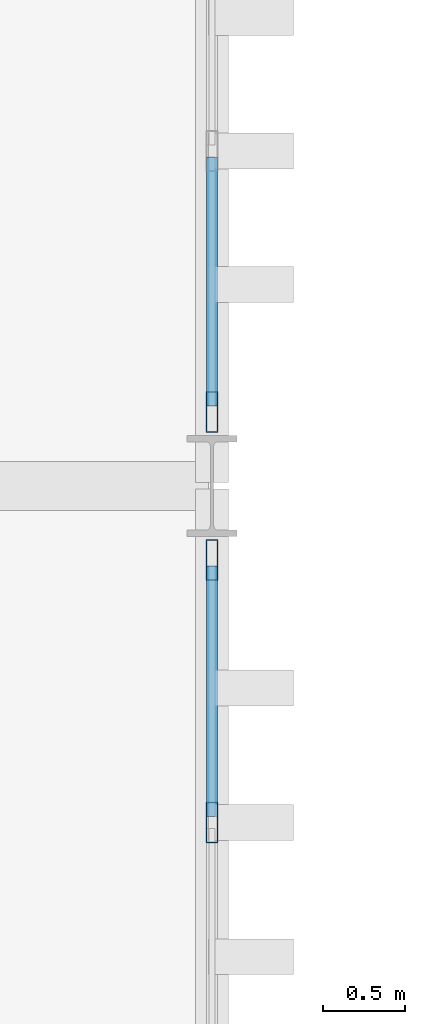
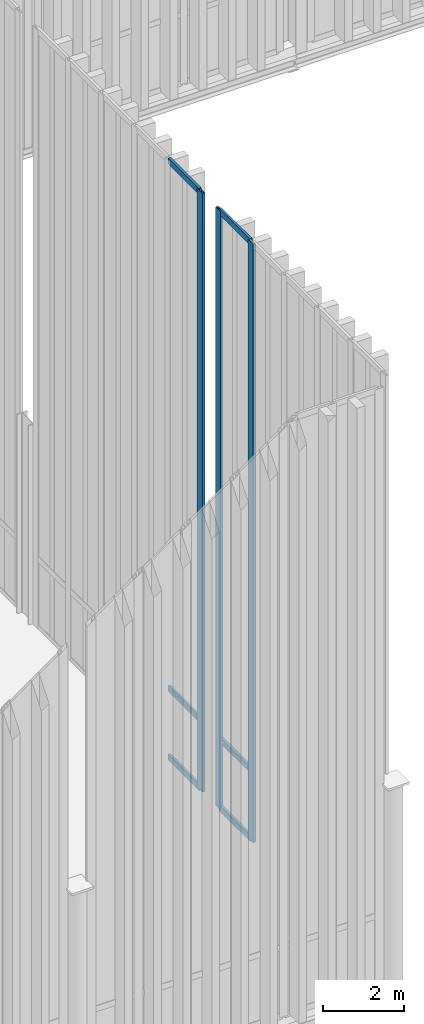
# One storey, part 51 of 237: 9 members, 2 elements without a shape of their own.
"""IFC4 building model written with IfcOpenShell, lengths in metres."""

from ifc_helpers import new_model, si_unit, direction, frame, origin, origin_2d, place, context, subcontext, project, spatial, hollow_rectangle, extrude, material, layer, layer_set, material_profile, profile_set, type_object, element, aggregate, save


model = new_model("IFC4")

# Units and contexts
model_context = context("Model", 3, precision=1e-05, world=origin(), true_north=direction((0.0, 1.0)))
body_context = subcontext(model_context, "Body", "Model", "MODEL_VIEW")
ifc_project = project(units=[si_unit("LENGTHUNIT", "METRE"), si_unit("AREAUNIT", "SQUARE_METRE"), si_unit("VOLUMEUNIT", "CUBIC_METRE"), si_unit("PLANEANGLEUNIT", "RADIAN"), si_unit("MASSUNIT", "GRAM", prefix="KILO")], contexts=[model_context])

# Site, building, storey
site_placement = place(None, origin())
site = spatial("IfcSite", under=ifc_project, at=site_placement, CompositionType="ELEMENT")
building_placement = place(site_placement, origin())
building = spatial("IfcBuilding", under=site, at=building_placement, Name="Barlavento Convention Centre", CompositionType="ELEMENT")
storey_placement = place(building_placement, frame((0.0, 0.0, 12.0)))
storey = spatial("IfcBuildingStorey", under=building, at=storey_placement, Name="L02", CompositionType="ELEMENT", Elevation=12.0)

# Curtain wall, members
ifc_material_1 = material(Name="Powder-coated aluminium and Low-E glass", Category="aluminium")
ifc_layer = layer(ifc_material_1, 0.18994140625)
ifc_layer_set = layer_set([ifc_layer], Name="ARC-CW-CONG-L02")
curtain_wall_type = type_object("IfcCurtainWallType", Name="ARC-CW-CONG-L02", PredefinedType="NOTDEFINED", material=ifc_layer_set)
curtain_wall_1_placement = place(storey_placement, origin())
curtain_wall_1 = element("IfcCurtainWall", 1, at=curtain_wall_1_placement, inside=storey, type_object=curtain_wall_type, Name="L02 unitised curtain wall CW02", PredefinedType="NOTDEFINED")
ifc_material_2 = material(Name="Powder-coated aluminium", Category="aluminium")
ifc_material_profile_1 = material_profile(ifc_material_2, hollow_rectangle(XDim=0.074951171875, YDim=0.25, WallThickness=0.006103515625, at=origin_2d()), Name="AL-MULL 75x250x6")
ifc_profile_set_1 = profile_set([ifc_material_profile_1], Name="Powder-coated aluminium")
member_type_1 = type_object("IfcMemberType", Name="ARC-CWM-75X250", PredefinedType="MULLION", material=ifc_profile_set_1)
member_1_placement = place(storey_placement, frame((63.0, 15.939697265625, 0.0), z_axis=(0.0, 0.0, 1.0), x_axis=(-1.0, 0.0, 0.0)))
member_1 = element("IfcMember", 2, at=member_1_placement, type_object=member_type_1, Name="CW02 mullion 5", PredefinedType="MULLION", context=body_context, shape_type="SweptSolid", body=[
    extrude(hollow_rectangle(XDim=0.074951171875, YDim=0.25, WallThickness=0.006103515625, at=origin_2d()), origin(), (0.0, 0.0, 1.0), 18.037109375),
])
member_2_placement = place(storey_placement, frame((63.0, 17.547607421875, 0.0), z_axis=(0.0, 0.0, 1.0), x_axis=(-1.0, 0.0, 0.0)))
member_2 = element("IfcMember", 3, at=member_2_placement, type_object=member_type_1, Name="CW02 mullion 6", PredefinedType="MULLION", context=body_context, shape_type="SweptSolid", body=[
    extrude(hollow_rectangle(XDim=0.074951171875, YDim=0.25, WallThickness=0.006103515625, at=origin_2d()), origin(), (0.0, 0.0, 1.0), 18.037109375),
])

# Curtain wall, member
curtain_wall_2_placement = place(storey_placement, origin())
curtain_wall_2 = element("IfcCurtainWall", 4, at=curtain_wall_2_placement, inside=storey, type_object=curtain_wall_type, Name="L02 unitised curtain wall CW02", PredefinedType="NOTDEFINED")
member_3_placement = place(storey_placement, frame((63.0, 18.452392578125, 0.0), z_axis=(0.0, 0.0, 1.0), x_axis=(-1.0, 0.0, 0.0)))
member_3 = element("IfcMember", 5, at=member_3_placement, type_object=member_type_1, Name="CW02 mullion 1", PredefinedType="MULLION", context=body_context, shape_type="SweptSolid", body=[
    extrude(hollow_rectangle(XDim=0.074951171875, YDim=0.25, WallThickness=0.006103515625, at=origin_2d()), origin(), (0.0, 0.0, 1.0), 18.037109375),
])

# Member
ifc_material_profile_2 = material_profile(ifc_material_2, hollow_rectangle(XDim=0.070068359375, YDim=0.179931640625, WallThickness=0.0048828125, at=origin_2d()), Name="AL-TRAN 70x180x5")
ifc_profile_set_2 = profile_set([ifc_material_profile_2], Name="Powder-coated aluminium")
member_type_2 = type_object("IfcMemberType", Name="ARC-CWT-70X180", PredefinedType="USERDEFINED", material=ifc_profile_set_2)
member_4_placement = place(storey_placement, frame((63.0, 15.977294921875, 0.034912109375), z_axis=(0.0, 1.0, 0.0), x_axis=(-1.0, 0.0, 0.0)))
member_4 = element("IfcMember", 6, at=member_4_placement, type_object=member_type_2, Name="CW02 transom 5.1", ObjectType="TRANSOM", PredefinedType="USERDEFINED", context=body_context, shape_type="SweptSolid", body=[
    extrude(hollow_rectangle(XDim=0.070068359375, YDim=0.179931640625, WallThickness=0.0048828125, at=origin_2d()), origin(), (0.0, 0.0, 1.0), 1.53271484375),
])

member_5_placement = place(storey_placement, frame((63.0, 15.977294921875, 2.10009765625), z_axis=(0.0, 1.0, 0.0), x_axis=(-1.0, 0.0, 0.0)))
member_5 = element("IfcMember", 7, at=member_5_placement, type_object=member_type_2, Name="CW02 transom 5.2", ObjectType="TRANSOM", PredefinedType="USERDEFINED", context=body_context, shape_type="SweptSolid", body=[
    extrude(hollow_rectangle(XDim=0.070068359375, YDim=0.179931640625, WallThickness=0.0048828125, at=origin_2d()), origin(), (0.0, 0.0, 1.0), 1.53271484375),
])

member_6_placement = place(storey_placement, frame((63.0, 15.977294921875, 18.001953125), z_axis=(0.0, 1.0, 0.0), x_axis=(-1.0, 0.0, 0.0)))
member_6 = element("IfcMember", 8, at=member_6_placement, type_object=member_type_2, Name="CW02 transom 5.3", ObjectType="TRANSOM", PredefinedType="USERDEFINED", context=body_context, shape_type="SweptSolid", body=[
    extrude(hollow_rectangle(XDim=0.070068359375, YDim=0.179931640625, WallThickness=0.0048828125, at=origin_2d()), origin(), (0.0, 0.0, 1.0), 1.53271484375),
])

aggregate(curtain_wall_1, [member_1, member_2, member_4, member_5, member_6])

member_7_placement = place(storey_placement, frame((63.0, 18.489990234375, 0.034912109375), z_axis=(0.0, 1.0, 0.0), x_axis=(-1.0, 0.0, 0.0)))
member_7 = element("IfcMember", 9, at=member_7_placement, type_object=member_type_2, Name="CW02 transom 1.1", ObjectType="TRANSOM", PredefinedType="USERDEFINED", context=body_context, shape_type="SweptSolid", body=[
    extrude(hollow_rectangle(XDim=0.070068359375, YDim=0.179931640625, WallThickness=0.0048828125, at=origin_2d()), origin(), (0.0, 0.0, 1.0), 1.5234375),
])

member_8_placement = place(storey_placement, frame((63.0, 18.489990234375, 2.10009765625), z_axis=(0.0, 1.0, 0.0), x_axis=(-1.0, 0.0, 0.0)))
member_8 = element("IfcMember", 10, at=member_8_placement, type_object=member_type_2, Name="CW02 transom 1.2", ObjectType="TRANSOM", PredefinedType="USERDEFINED", context=body_context, shape_type="SweptSolid", body=[
    extrude(hollow_rectangle(XDim=0.070068359375, YDim=0.179931640625, WallThickness=0.0048828125, at=origin_2d()), origin(), (0.0, 0.0, 1.0), 1.5234375),
])

member_9_placement = place(storey_placement, frame((63.0, 18.489990234375, 18.001953125), z_axis=(0.0, 1.0, 0.0), x_axis=(-1.0, 0.0, 0.0)))
member_9 = element("IfcMember", 11, at=member_9_placement, type_object=member_type_2, Name="CW02 transom 1.3", ObjectType="TRANSOM", PredefinedType="USERDEFINED", context=body_context, shape_type="SweptSolid", body=[
    extrude(hollow_rectangle(XDim=0.070068359375, YDim=0.179931640625, WallThickness=0.0048828125, at=origin_2d()), origin(), (0.0, 0.0, 1.0), 1.5234375),
])

aggregate(curtain_wall_2, [member_3, member_7, member_8, member_9])

save(model, "model.ifc")
